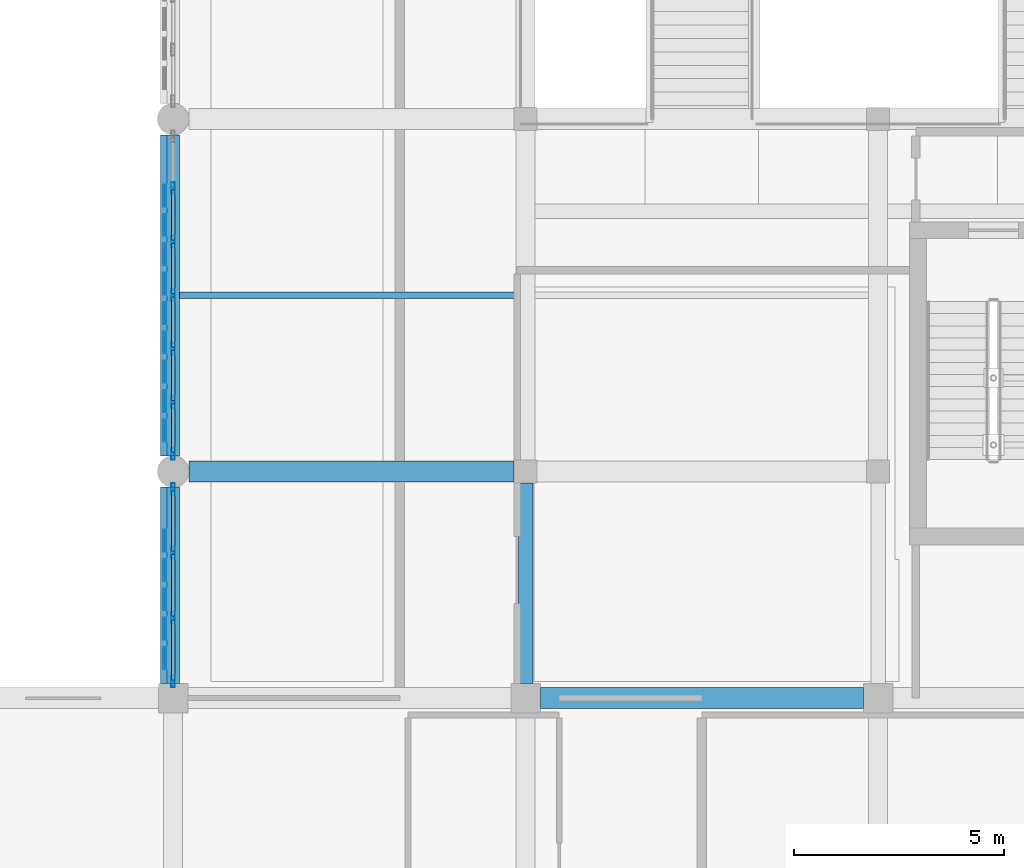
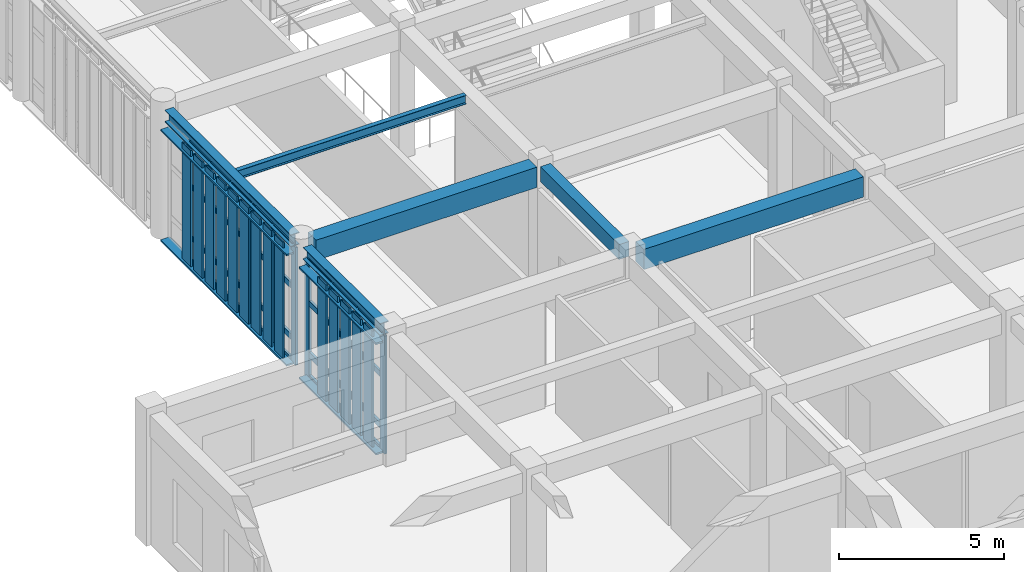
# One storey, part 15 of 106: 60 members, 6 beams, 2 elements without a shape of their own.
"""IFC4 building model written with IfcOpenShell, lengths in metres."""

from ifc_helpers import new_model, si_unit, direction, frame, origin, origin_2d, place, context, subcontext, project, spatial, rectangle, hollow_rectangle, i_section, extrude, material, layer, layer_set, material_profile, profile_set, type_object, element, aggregate, save


model = new_model("IFC4")

# Units and contexts
model_context = context("Model", 3, precision=1e-05, world=origin(), true_north=direction((0.0, 1.0)))
body_context = subcontext(model_context, "Body", "Model", "MODEL_VIEW")
ifc_project = project(units=[si_unit("LENGTHUNIT", "METRE"), si_unit("AREAUNIT", "SQUARE_METRE"), si_unit("VOLUMEUNIT", "CUBIC_METRE"), si_unit("PLANEANGLEUNIT", "RADIAN"), si_unit("MASSUNIT", "GRAM", prefix="KILO")], contexts=[model_context])

# Site, building, storey
site_placement = place(None, origin())
site = spatial("IfcSite", under=ifc_project, at=site_placement, CompositionType="ELEMENT")
building_placement = place(site_placement, origin())
building = spatial("IfcBuilding", under=site, at=building_placement, Name="Krzemoval Escarpment Law Courts", CompositionType="ELEMENT")
storey_placement = place(building_placement, frame((0.0, 0.0, 5.10009765625)))
storey = spatial("IfcBuildingStorey", under=building, at=storey_placement, Name="L01", CompositionType="ELEMENT", Elevation=5.10009765625)

# Beams
ifc_material_1 = material(Name="Concrete C40/50", Category="concrete")
ifc_material_profile_1 = material_profile(ifc_material_1, rectangle(XDim=0.35009765625, YDim=0.550048828125, at=origin_2d()), Name="RCB 350x550")
ifc_profile_set_1 = profile_set([ifc_material_profile_1], Name="Concrete C40/50")
beam_type_1 = type_object("IfcBeamType", Name="BM-RC-350x550", PredefinedType="BEAM", material=ifc_profile_set_1)
beam_1_placement = place(storey_placement, frame((16.800048828125, 35.75, 4.544921875), z_axis=(0.0, 1.0, 0.0), x_axis=(-1.0, 0.0, 0.0)))
element("IfcBeam", 1, at=beam_1_placement, inside=storey, type_object=beam_type_1, Name="Beam FG-L01-1398", PredefinedType="BEAM", context=body_context, shape_type="SweptSolid", body=[
    extrude(rectangle(XDim=0.35009765625, YDim=0.550048828125, at=origin_2d()), origin(), (0.0, 0.0, 1.0), 4.77490234375),
])
ifc_material_2 = material(Name="Concrete C40/50", Category="concrete")
ifc_material_profile_2 = material_profile(ifc_material_2, rectangle(XDim=0.5, YDim=0.75, at=origin_2d()), Name="RCB 500x750")
ifc_profile_set_2 = profile_set([ifc_material_profile_2], Name="Concrete C40/50")
beam_type_2 = type_object("IfcBeamType", Name="BM-RC-500x750", PredefinedType="BEAM", material=ifc_profile_set_2)
beam_2_placement = place(storey_placement, frame((17.14990234375, 35.39990234375, 4.44482421875), z_axis=(1.0, 0.0, 0.0), x_axis=(0.0, 1.0, 0.0)))
element("IfcBeam", 2, at=beam_2_placement, inside=storey, type_object=beam_type_2, Name="Beam FG-L01-1217", PredefinedType="BEAM", context=body_context, shape_type="SweptSolid", body=[
    extrude(rectangle(XDim=0.5, YDim=0.75, at=origin_2d()), origin(), (0.0, 0.0, 1.0), 7.7001953125),
])
beam_3_placement = place(storey_placement, frame((8.77490234375, 40.800048828125, 4.44482421875), z_axis=(1.0, 0.0, 0.0), x_axis=(0.0, 1.0, 0.0)))
element("IfcBeam", 3, at=beam_3_placement, inside=storey, type_object=beam_type_2, Name="Beam FG-L01-1233", PredefinedType="BEAM", context=body_context, shape_type="SweptSolid", body=[
    extrude(rectangle(XDim=0.5, YDim=0.75, at=origin_2d()), origin(), (0.0, 0.0, 1.0), 7.75),
])

# Curtain wall, members
ifc_material_3 = material(Name="Aluminium 6063-T6", Category="aluminium")
ifc_layer = layer(ifc_material_3, 0.280029296875)
ifc_layer_set = layer_set([ifc_layer], Name="Aluminium 6063-T6")
curtain_wall_type = type_object("IfcCurtainWallType", Name="CW-HALL-5100", PredefinedType="USERDEFINED", material=ifc_layer_set)
curtain_wall_1_placement = place(storey_placement, origin())
curtain_wall_1 = element("IfcCurtainWall", 4, at=curtain_wall_1_placement, inside=storey, type_object=curtain_wall_type, Name="Unitised Curtain Wall FCW-L01-022", ObjectType="UNITISED_CURTAIN_WALL", PredefinedType="USERDEFINED")
ifc_material_4 = material(Name="Aluminium 6063-T6", Category="aluminium")
ifc_material_profile_3 = material_profile(ifc_material_4, hollow_rectangle(XDim=0.0849609375, YDim=0.280029296875, WallThickness=0.005615234375, at=origin_2d()), Name="ALU M85x280")
ifc_profile_set_3 = profile_set([ifc_material_profile_3], Name="Aluminium 6063-T6")
member_type_1 = type_object("IfcMemberType", Name="CWM-85x280", PredefinedType="MULLION", material=ifc_profile_set_3)
member_1_placement = place(storey_placement, frame((8.39990234375, 35.79248046875, 0.0), z_axis=(0.0, 0.0, 1.0), x_axis=(-1.0, 0.0, 0.0)))
member_1 = element("IfcMember", 5, at=member_1_placement, type_object=member_type_1, Name="FCW-L01-022 mullion 1", PredefinedType="MULLION", context=body_context, shape_type="SweptSolid", body=[
    extrude(hollow_rectangle(XDim=0.0849609375, YDim=0.280029296875, WallThickness=0.005615234375, at=origin_2d()), origin(), (0.0, 0.0, 1.0), 4.369873046875),
])
member_2_placement = place(storey_placement, frame((8.39990234375, 37.308349609375, 0.0), z_axis=(0.0, 0.0, 1.0), x_axis=(-1.0, 0.0, 0.0)))
member_2 = element("IfcMember", 6, at=member_2_placement, type_object=member_type_1, Name="FCW-L01-022 mullion 2", PredefinedType="MULLION", context=body_context, shape_type="SweptSolid", body=[
    extrude(hollow_rectangle(XDim=0.0849609375, YDim=0.280029296875, WallThickness=0.005615234375, at=origin_2d()), origin(), (0.0, 0.0, 1.0), 4.369873046875),
])
member_3_placement = place(storey_placement, frame((8.39990234375, 38.86669921875, 0.0), z_axis=(0.0, 0.0, 1.0), x_axis=(-1.0, 0.0, 0.0)))
member_3 = element("IfcMember", 7, at=member_3_placement, type_object=member_type_1, Name="FCW-L01-022 mullion 3", PredefinedType="MULLION", context=body_context, shape_type="SweptSolid", body=[
    extrude(hollow_rectangle(XDim=0.0849609375, YDim=0.280029296875, WallThickness=0.005615234375, at=origin_2d()), origin(), (0.0, 0.0, 1.0), 4.369873046875),
])
member_4_placement = place(storey_placement, frame((8.39990234375, 40.382568359375, 0.0), z_axis=(0.0, 0.0, 1.0), x_axis=(-1.0, 0.0, 0.0)))
member_4 = element("IfcMember", 8, at=member_4_placement, type_object=member_type_1, Name="FCW-L01-022 mullion 4", PredefinedType="MULLION", context=body_context, shape_type="SweptSolid", body=[
    extrude(hollow_rectangle(XDim=0.0849609375, YDim=0.280029296875, WallThickness=0.005615234375, at=origin_2d()), origin(), (0.0, 0.0, 1.0), 4.369873046875),
])

curtain_wall_2_placement = place(storey_placement, origin())
curtain_wall_2 = element("IfcCurtainWall", 9, at=curtain_wall_2_placement, inside=storey, type_object=curtain_wall_type, Name="Unitised Curtain Wall FCW-L01-023", ObjectType="UNITISED_CURTAIN_WALL", PredefinedType="USERDEFINED")
member_5_placement = place(storey_placement, frame((8.39990234375, 41.217529296875, 0.0), z_axis=(0.0, 0.0, 1.0), x_axis=(-1.0, 0.0, 0.0)))
member_5 = element("IfcMember", 10, at=member_5_placement, type_object=member_type_1, Name="FCW-L01-023 mullion 1", PredefinedType="MULLION", context=body_context, shape_type="SweptSolid", body=[
    extrude(hollow_rectangle(XDim=0.0849609375, YDim=0.280029296875, WallThickness=0.005615234375, at=origin_2d()), origin(), (0.0, 0.0, 1.0), 4.369873046875),
])
member_6_placement = place(storey_placement, frame((8.39990234375, 42.449951171875, 0.0), z_axis=(0.0, 0.0, 1.0), x_axis=(-1.0, 0.0, 0.0)))
member_6 = element("IfcMember", 11, at=member_6_placement, type_object=member_type_1, Name="FCW-L01-023 mullion 2", PredefinedType="MULLION", context=body_context, shape_type="SweptSolid", body=[
    extrude(hollow_rectangle(XDim=0.0849609375, YDim=0.280029296875, WallThickness=0.005615234375, at=origin_2d()), origin(), (0.0, 0.0, 1.0), 4.369873046875),
])
member_7_placement = place(storey_placement, frame((8.39990234375, 43.72509765625, 0.0), z_axis=(0.0, 0.0, 1.0), x_axis=(-1.0, 0.0, 0.0)))
member_7 = element("IfcMember", 12, at=member_7_placement, type_object=member_type_1, Name="FCW-L01-023 mullion 3", PredefinedType="MULLION", context=body_context, shape_type="SweptSolid", body=[
    extrude(hollow_rectangle(XDim=0.0849609375, YDim=0.280029296875, WallThickness=0.005615234375, at=origin_2d()), origin(), (0.0, 0.0, 1.0), 4.369873046875),
])
member_8_placement = place(storey_placement, frame((8.39990234375, 45.0, 0.0), z_axis=(0.0, 0.0, 1.0), x_axis=(-1.0, 0.0, 0.0)))
member_8 = element("IfcMember", 13, at=member_8_placement, type_object=member_type_1, Name="FCW-L01-023 mullion 4", PredefinedType="MULLION", context=body_context, shape_type="SweptSolid", body=[
    extrude(hollow_rectangle(XDim=0.0849609375, YDim=0.280029296875, WallThickness=0.005615234375, at=origin_2d()), origin(), (0.0, 0.0, 1.0), 4.369873046875),
])
member_9_placement = place(storey_placement, frame((8.39990234375, 46.27490234375, 0.0), z_axis=(0.0, 0.0, 1.0), x_axis=(-1.0, 0.0, 0.0)))
member_9 = element("IfcMember", 14, at=member_9_placement, type_object=member_type_1, Name="FCW-L01-023 mullion 5", PredefinedType="MULLION", context=body_context, shape_type="SweptSolid", body=[
    extrude(hollow_rectangle(XDim=0.0849609375, YDim=0.280029296875, WallThickness=0.005615234375, at=origin_2d()), origin(), (0.0, 0.0, 1.0), 4.369873046875),
])
member_10_placement = place(storey_placement, frame((8.39990234375, 47.550048828125, 0.0), z_axis=(0.0, 0.0, 1.0), x_axis=(-1.0, 0.0, 0.0)))
member_10 = element("IfcMember", 15, at=member_10_placement, type_object=member_type_1, Name="FCW-L01-023 mullion 6", PredefinedType="MULLION", context=body_context, shape_type="SweptSolid", body=[
    extrude(hollow_rectangle(XDim=0.0849609375, YDim=0.280029296875, WallThickness=0.005615234375, at=origin_2d()), origin(), (0.0, 0.0, 1.0), 4.369873046875),
])

# Member
ifc_material_5 = material(Name="Aluminium 6063-T6", Category="aluminium")
ifc_material_profile_4 = material_profile(ifc_material_5, hollow_rectangle(XDim=0.0849609375, YDim=0.2099609375, WallThickness=0.005615234375, at=origin_2d()), Name="ALU T85x210")
ifc_profile_set_4 = profile_set([ifc_material_profile_4], Name="Aluminium 6063-T6")
member_type_2 = type_object("IfcMemberType", Name="CWT-85x210", PredefinedType="USERDEFINED", material=ifc_profile_set_4)
member_11_placement = place(storey_placement, frame((8.39990234375, 35.8349609375, 0.04248046875), z_axis=(0.0, 1.0, 0.0), x_axis=(-1.0, 0.0, 0.0)))
member_11 = element("IfcMember", 16, at=member_11_placement, type_object=member_type_2, Name="FCW-L01-022 transom 1.1", ObjectType="TRANSOM", PredefinedType="USERDEFINED", context=body_context, shape_type="SweptSolid", body=[
    extrude(hollow_rectangle(XDim=0.0849609375, YDim=0.2099609375, WallThickness=0.005615234375, at=origin_2d()), origin(), (0.0, 0.0, 1.0), 1.430908203125),
])

member_12_placement = place(storey_placement, frame((8.39990234375, 35.8349609375, 0.89990234375), z_axis=(0.0, 1.0, 0.0), x_axis=(-1.0, 0.0, 0.0)))
member_12 = element("IfcMember", 17, at=member_12_placement, type_object=member_type_2, Name="FCW-L01-022 transom 1.2", ObjectType="TRANSOM", PredefinedType="USERDEFINED", context=body_context, shape_type="SweptSolid", body=[
    extrude(hollow_rectangle(XDim=0.0849609375, YDim=0.2099609375, WallThickness=0.005615234375, at=origin_2d()), origin(), (0.0, 0.0, 1.0), 1.430908203125),
])

member_13_placement = place(storey_placement, frame((8.39990234375, 35.8349609375, 2.7998046875), z_axis=(0.0, 1.0, 0.0), x_axis=(-1.0, 0.0, 0.0)))
member_13 = element("IfcMember", 18, at=member_13_placement, type_object=member_type_2, Name="FCW-L01-022 transom 1.3", ObjectType="TRANSOM", PredefinedType="USERDEFINED", context=body_context, shape_type="SweptSolid", body=[
    extrude(hollow_rectangle(XDim=0.0849609375, YDim=0.2099609375, WallThickness=0.005615234375, at=origin_2d()), origin(), (0.0, 0.0, 1.0), 1.430908203125),
])

member_14_placement = place(storey_placement, frame((8.39990234375, 35.8349609375, 4.327392578125), z_axis=(0.0, 1.0, 0.0), x_axis=(-1.0, 0.0, 0.0)))
member_14 = element("IfcMember", 19, at=member_14_placement, type_object=member_type_2, Name="FCW-L01-022 transom 1.4", ObjectType="TRANSOM", PredefinedType="USERDEFINED", context=body_context, shape_type="SweptSolid", body=[
    extrude(hollow_rectangle(XDim=0.0849609375, YDim=0.2099609375, WallThickness=0.005615234375, at=origin_2d()), origin(), (0.0, 0.0, 1.0), 1.430908203125),
])

member_15_placement = place(storey_placement, frame((8.39990234375, 37.350830078125, 0.04248046875), z_axis=(0.0, 1.0, 0.0), x_axis=(-1.0, 0.0, 0.0)))
member_15 = element("IfcMember", 20, at=member_15_placement, type_object=member_type_2, Name="FCW-L01-022 transom 2.1", ObjectType="TRANSOM", PredefinedType="USERDEFINED", context=body_context, shape_type="SweptSolid", body=[
    extrude(hollow_rectangle(XDim=0.0849609375, YDim=0.2099609375, WallThickness=0.005615234375, at=origin_2d()), origin(), (0.0, 0.0, 1.0), 1.473388671875),
])

member_16_placement = place(storey_placement, frame((8.39990234375, 37.350830078125, 0.89990234375), z_axis=(0.0, 1.0, 0.0), x_axis=(-1.0, 0.0, 0.0)))
member_16 = element("IfcMember", 21, at=member_16_placement, type_object=member_type_2, Name="FCW-L01-022 transom 2.2", ObjectType="TRANSOM", PredefinedType="USERDEFINED", context=body_context, shape_type="SweptSolid", body=[
    extrude(hollow_rectangle(XDim=0.0849609375, YDim=0.2099609375, WallThickness=0.005615234375, at=origin_2d()), origin(), (0.0, 0.0, 1.0), 1.473388671875),
])

member_17_placement = place(storey_placement, frame((8.39990234375, 37.350830078125, 2.7998046875), z_axis=(0.0, 1.0, 0.0), x_axis=(-1.0, 0.0, 0.0)))
member_17 = element("IfcMember", 22, at=member_17_placement, type_object=member_type_2, Name="FCW-L01-022 transom 2.3", ObjectType="TRANSOM", PredefinedType="USERDEFINED", context=body_context, shape_type="SweptSolid", body=[
    extrude(hollow_rectangle(XDim=0.0849609375, YDim=0.2099609375, WallThickness=0.005615234375, at=origin_2d()), origin(), (0.0, 0.0, 1.0), 1.473388671875),
])

member_18_placement = place(storey_placement, frame((8.39990234375, 37.350830078125, 4.327392578125), z_axis=(0.0, 1.0, 0.0), x_axis=(-1.0, 0.0, 0.0)))
member_18 = element("IfcMember", 23, at=member_18_placement, type_object=member_type_2, Name="FCW-L01-022 transom 2.4", ObjectType="TRANSOM", PredefinedType="USERDEFINED", context=body_context, shape_type="SweptSolid", body=[
    extrude(hollow_rectangle(XDim=0.0849609375, YDim=0.2099609375, WallThickness=0.005615234375, at=origin_2d()), origin(), (0.0, 0.0, 1.0), 1.473388671875),
])

member_19_placement = place(storey_placement, frame((8.39990234375, 38.9091796875, 0.04248046875), z_axis=(0.0, 1.0, 0.0), x_axis=(-1.0, 0.0, 0.0)))
member_19 = element("IfcMember", 24, at=member_19_placement, type_object=member_type_2, Name="FCW-L01-022 transom 3.1", ObjectType="TRANSOM", PredefinedType="USERDEFINED", context=body_context, shape_type="SweptSolid", body=[
    extrude(hollow_rectangle(XDim=0.0849609375, YDim=0.2099609375, WallThickness=0.005615234375, at=origin_2d()), origin(), (0.0, 0.0, 1.0), 1.430908203125),
])

member_20_placement = place(storey_placement, frame((8.39990234375, 38.9091796875, 0.89990234375), z_axis=(0.0, 1.0, 0.0), x_axis=(-1.0, 0.0, 0.0)))
member_20 = element("IfcMember", 25, at=member_20_placement, type_object=member_type_2, Name="FCW-L01-022 transom 3.2", ObjectType="TRANSOM", PredefinedType="USERDEFINED", context=body_context, shape_type="SweptSolid", body=[
    extrude(hollow_rectangle(XDim=0.0849609375, YDim=0.2099609375, WallThickness=0.005615234375, at=origin_2d()), origin(), (0.0, 0.0, 1.0), 1.430908203125),
])

member_21_placement = place(storey_placement, frame((8.39990234375, 38.9091796875, 2.7998046875), z_axis=(0.0, 1.0, 0.0), x_axis=(-1.0, 0.0, 0.0)))
member_21 = element("IfcMember", 26, at=member_21_placement, type_object=member_type_2, Name="FCW-L01-022 transom 3.3", ObjectType="TRANSOM", PredefinedType="USERDEFINED", context=body_context, shape_type="SweptSolid", body=[
    extrude(hollow_rectangle(XDim=0.0849609375, YDim=0.2099609375, WallThickness=0.005615234375, at=origin_2d()), origin(), (0.0, 0.0, 1.0), 1.430908203125),
])

member_22_placement = place(storey_placement, frame((8.39990234375, 38.9091796875, 4.327392578125), z_axis=(0.0, 1.0, 0.0), x_axis=(-1.0, 0.0, 0.0)))
member_22 = element("IfcMember", 27, at=member_22_placement, type_object=member_type_2, Name="FCW-L01-022 transom 3.4", ObjectType="TRANSOM", PredefinedType="USERDEFINED", context=body_context, shape_type="SweptSolid", body=[
    extrude(hollow_rectangle(XDim=0.0849609375, YDim=0.2099609375, WallThickness=0.005615234375, at=origin_2d()), origin(), (0.0, 0.0, 1.0), 1.430908203125),
])

aggregate(curtain_wall_1, [member_1, member_2, member_3, member_4, member_11, member_12, member_13, member_14, member_15, member_16, member_17, member_18, member_19, member_20, member_21, member_22])

member_23_placement = place(storey_placement, frame((8.39990234375, 41.260009765625, 0.04248046875), z_axis=(0.0, 1.0, 0.0), x_axis=(-1.0, 0.0, 0.0)))
member_23 = element("IfcMember", 28, at=member_23_placement, type_object=member_type_2, Name="FCW-L01-023 transom 1.1", ObjectType="TRANSOM", PredefinedType="USERDEFINED", context=body_context, shape_type="SweptSolid", body=[
    extrude(hollow_rectangle(XDim=0.0849609375, YDim=0.2099609375, WallThickness=0.005615234375, at=origin_2d()), origin(), (0.0, 0.0, 1.0), 1.1474609375),
])

member_24_placement = place(storey_placement, frame((8.39990234375, 41.260009765625, 0.89990234375), z_axis=(0.0, 1.0, 0.0), x_axis=(-1.0, 0.0, 0.0)))
member_24 = element("IfcMember", 29, at=member_24_placement, type_object=member_type_2, Name="FCW-L01-023 transom 1.2", ObjectType="TRANSOM", PredefinedType="USERDEFINED", context=body_context, shape_type="SweptSolid", body=[
    extrude(hollow_rectangle(XDim=0.0849609375, YDim=0.2099609375, WallThickness=0.005615234375, at=origin_2d()), origin(), (0.0, 0.0, 1.0), 1.1474609375),
])

member_25_placement = place(storey_placement, frame((8.39990234375, 41.260009765625, 2.7998046875), z_axis=(0.0, 1.0, 0.0), x_axis=(-1.0, 0.0, 0.0)))
member_25 = element("IfcMember", 30, at=member_25_placement, type_object=member_type_2, Name="FCW-L01-023 transom 1.3", ObjectType="TRANSOM", PredefinedType="USERDEFINED", context=body_context, shape_type="SweptSolid", body=[
    extrude(hollow_rectangle(XDim=0.0849609375, YDim=0.2099609375, WallThickness=0.005615234375, at=origin_2d()), origin(), (0.0, 0.0, 1.0), 1.1474609375),
])

member_26_placement = place(storey_placement, frame((8.39990234375, 41.260009765625, 4.327392578125), z_axis=(0.0, 1.0, 0.0), x_axis=(-1.0, 0.0, 0.0)))
member_26 = element("IfcMember", 31, at=member_26_placement, type_object=member_type_2, Name="FCW-L01-023 transom 1.4", ObjectType="TRANSOM", PredefinedType="USERDEFINED", context=body_context, shape_type="SweptSolid", body=[
    extrude(hollow_rectangle(XDim=0.0849609375, YDim=0.2099609375, WallThickness=0.005615234375, at=origin_2d()), origin(), (0.0, 0.0, 1.0), 1.1474609375),
])

member_27_placement = place(storey_placement, frame((8.39990234375, 42.492431640625, 0.04248046875), z_axis=(0.0, 1.0, 0.0), x_axis=(-1.0, 0.0, 0.0)))
member_27 = element("IfcMember", 32, at=member_27_placement, type_object=member_type_2, Name="FCW-L01-023 transom 2.1", ObjectType="TRANSOM", PredefinedType="USERDEFINED", context=body_context, shape_type="SweptSolid", body=[
    extrude(hollow_rectangle(XDim=0.0849609375, YDim=0.2099609375, WallThickness=0.005615234375, at=origin_2d()), origin(), (0.0, 0.0, 1.0), 1.190185546875),
])

member_28_placement = place(storey_placement, frame((8.39990234375, 42.492431640625, 0.89990234375), z_axis=(0.0, 1.0, 0.0), x_axis=(-1.0, 0.0, 0.0)))
member_28 = element("IfcMember", 33, at=member_28_placement, type_object=member_type_2, Name="FCW-L01-023 transom 2.2", ObjectType="TRANSOM", PredefinedType="USERDEFINED", context=body_context, shape_type="SweptSolid", body=[
    extrude(hollow_rectangle(XDim=0.0849609375, YDim=0.2099609375, WallThickness=0.005615234375, at=origin_2d()), origin(), (0.0, 0.0, 1.0), 1.190185546875),
])

member_29_placement = place(storey_placement, frame((8.39990234375, 42.492431640625, 2.7998046875), z_axis=(0.0, 1.0, 0.0), x_axis=(-1.0, 0.0, 0.0)))
member_29 = element("IfcMember", 34, at=member_29_placement, type_object=member_type_2, Name="FCW-L01-023 transom 2.3", ObjectType="TRANSOM", PredefinedType="USERDEFINED", context=body_context, shape_type="SweptSolid", body=[
    extrude(hollow_rectangle(XDim=0.0849609375, YDim=0.2099609375, WallThickness=0.005615234375, at=origin_2d()), origin(), (0.0, 0.0, 1.0), 1.190185546875),
])

member_30_placement = place(storey_placement, frame((8.39990234375, 42.492431640625, 4.327392578125), z_axis=(0.0, 1.0, 0.0), x_axis=(-1.0, 0.0, 0.0)))
member_30 = element("IfcMember", 35, at=member_30_placement, type_object=member_type_2, Name="FCW-L01-023 transom 2.4", ObjectType="TRANSOM", PredefinedType="USERDEFINED", context=body_context, shape_type="SweptSolid", body=[
    extrude(hollow_rectangle(XDim=0.0849609375, YDim=0.2099609375, WallThickness=0.005615234375, at=origin_2d()), origin(), (0.0, 0.0, 1.0), 1.190185546875),
])

member_31_placement = place(storey_placement, frame((8.39990234375, 43.767578125, 0.04248046875), z_axis=(0.0, 1.0, 0.0), x_axis=(-1.0, 0.0, 0.0)))
member_31 = element("IfcMember", 36, at=member_31_placement, type_object=member_type_2, Name="FCW-L01-023 transom 3.1", ObjectType="TRANSOM", PredefinedType="USERDEFINED", context=body_context, shape_type="SweptSolid", body=[
    extrude(hollow_rectangle(XDim=0.0849609375, YDim=0.2099609375, WallThickness=0.005615234375, at=origin_2d()), origin(), (0.0, 0.0, 1.0), 1.18994140625),
])

member_32_placement = place(storey_placement, frame((8.39990234375, 43.767578125, 0.89990234375), z_axis=(0.0, 1.0, 0.0), x_axis=(-1.0, 0.0, 0.0)))
member_32 = element("IfcMember", 37, at=member_32_placement, type_object=member_type_2, Name="FCW-L01-023 transom 3.2", ObjectType="TRANSOM", PredefinedType="USERDEFINED", context=body_context, shape_type="SweptSolid", body=[
    extrude(hollow_rectangle(XDim=0.0849609375, YDim=0.2099609375, WallThickness=0.005615234375, at=origin_2d()), origin(), (0.0, 0.0, 1.0), 1.18994140625),
])

member_33_placement = place(storey_placement, frame((8.39990234375, 43.767578125, 2.7998046875), z_axis=(0.0, 1.0, 0.0), x_axis=(-1.0, 0.0, 0.0)))
member_33 = element("IfcMember", 38, at=member_33_placement, type_object=member_type_2, Name="FCW-L01-023 transom 3.3", ObjectType="TRANSOM", PredefinedType="USERDEFINED", context=body_context, shape_type="SweptSolid", body=[
    extrude(hollow_rectangle(XDim=0.0849609375, YDim=0.2099609375, WallThickness=0.005615234375, at=origin_2d()), origin(), (0.0, 0.0, 1.0), 1.18994140625),
])

member_34_placement = place(storey_placement, frame((8.39990234375, 43.767578125, 4.327392578125), z_axis=(0.0, 1.0, 0.0), x_axis=(-1.0, 0.0, 0.0)))
member_34 = element("IfcMember", 39, at=member_34_placement, type_object=member_type_2, Name="FCW-L01-023 transom 3.4", ObjectType="TRANSOM", PredefinedType="USERDEFINED", context=body_context, shape_type="SweptSolid", body=[
    extrude(hollow_rectangle(XDim=0.0849609375, YDim=0.2099609375, WallThickness=0.005615234375, at=origin_2d()), origin(), (0.0, 0.0, 1.0), 1.18994140625),
])

member_35_placement = place(storey_placement, frame((8.39990234375, 45.04248046875, 0.04248046875), z_axis=(0.0, 1.0, 0.0), x_axis=(-1.0, 0.0, 0.0)))
member_35 = element("IfcMember", 40, at=member_35_placement, type_object=member_type_2, Name="FCW-L01-023 transom 4.1", ObjectType="TRANSOM", PredefinedType="USERDEFINED", context=body_context, shape_type="SweptSolid", body=[
    extrude(hollow_rectangle(XDim=0.0849609375, YDim=0.2099609375, WallThickness=0.005615234375, at=origin_2d()), origin(), (0.0, 0.0, 1.0), 1.18994140625),
])

member_36_placement = place(storey_placement, frame((8.39990234375, 45.04248046875, 0.89990234375), z_axis=(0.0, 1.0, 0.0), x_axis=(-1.0, 0.0, 0.0)))
member_36 = element("IfcMember", 41, at=member_36_placement, type_object=member_type_2, Name="FCW-L01-023 transom 4.2", ObjectType="TRANSOM", PredefinedType="USERDEFINED", context=body_context, shape_type="SweptSolid", body=[
    extrude(hollow_rectangle(XDim=0.0849609375, YDim=0.2099609375, WallThickness=0.005615234375, at=origin_2d()), origin(), (0.0, 0.0, 1.0), 1.18994140625),
])

member_37_placement = place(storey_placement, frame((8.39990234375, 45.04248046875, 2.7998046875), z_axis=(0.0, 1.0, 0.0), x_axis=(-1.0, 0.0, 0.0)))
member_37 = element("IfcMember", 42, at=member_37_placement, type_object=member_type_2, Name="FCW-L01-023 transom 4.3", ObjectType="TRANSOM", PredefinedType="USERDEFINED", context=body_context, shape_type="SweptSolid", body=[
    extrude(hollow_rectangle(XDim=0.0849609375, YDim=0.2099609375, WallThickness=0.005615234375, at=origin_2d()), origin(), (0.0, 0.0, 1.0), 1.18994140625),
])

member_38_placement = place(storey_placement, frame((8.39990234375, 45.04248046875, 4.327392578125), z_axis=(0.0, 1.0, 0.0), x_axis=(-1.0, 0.0, 0.0)))
member_38 = element("IfcMember", 43, at=member_38_placement, type_object=member_type_2, Name="FCW-L01-023 transom 4.4", ObjectType="TRANSOM", PredefinedType="USERDEFINED", context=body_context, shape_type="SweptSolid", body=[
    extrude(hollow_rectangle(XDim=0.0849609375, YDim=0.2099609375, WallThickness=0.005615234375, at=origin_2d()), origin(), (0.0, 0.0, 1.0), 1.18994140625),
])

member_39_placement = place(storey_placement, frame((8.39990234375, 46.3173828125, 0.04248046875), z_axis=(0.0, 1.0, 0.0), x_axis=(-1.0, 0.0, 0.0)))
member_39 = element("IfcMember", 44, at=member_39_placement, type_object=member_type_2, Name="FCW-L01-023 transom 5.1", ObjectType="TRANSOM", PredefinedType="USERDEFINED", context=body_context, shape_type="SweptSolid", body=[
    extrude(hollow_rectangle(XDim=0.0849609375, YDim=0.2099609375, WallThickness=0.005615234375, at=origin_2d()), origin(), (0.0, 0.0, 1.0), 1.190185546875),
])

member_40_placement = place(storey_placement, frame((8.39990234375, 46.3173828125, 0.89990234375), z_axis=(0.0, 1.0, 0.0), x_axis=(-1.0, 0.0, 0.0)))
member_40 = element("IfcMember", 45, at=member_40_placement, type_object=member_type_2, Name="FCW-L01-023 transom 5.2", ObjectType="TRANSOM", PredefinedType="USERDEFINED", context=body_context, shape_type="SweptSolid", body=[
    extrude(hollow_rectangle(XDim=0.0849609375, YDim=0.2099609375, WallThickness=0.005615234375, at=origin_2d()), origin(), (0.0, 0.0, 1.0), 1.190185546875),
])

member_41_placement = place(storey_placement, frame((8.39990234375, 46.3173828125, 2.7998046875), z_axis=(0.0, 1.0, 0.0), x_axis=(-1.0, 0.0, 0.0)))
member_41 = element("IfcMember", 46, at=member_41_placement, type_object=member_type_2, Name="FCW-L01-023 transom 5.3", ObjectType="TRANSOM", PredefinedType="USERDEFINED", context=body_context, shape_type="SweptSolid", body=[
    extrude(hollow_rectangle(XDim=0.0849609375, YDim=0.2099609375, WallThickness=0.005615234375, at=origin_2d()), origin(), (0.0, 0.0, 1.0), 1.190185546875),
])

member_42_placement = place(storey_placement, frame((8.39990234375, 46.3173828125, 4.327392578125), z_axis=(0.0, 1.0, 0.0), x_axis=(-1.0, 0.0, 0.0)))
member_42 = element("IfcMember", 47, at=member_42_placement, type_object=member_type_2, Name="FCW-L01-023 transom 5.4", ObjectType="TRANSOM", PredefinedType="USERDEFINED", context=body_context, shape_type="SweptSolid", body=[
    extrude(hollow_rectangle(XDim=0.0849609375, YDim=0.2099609375, WallThickness=0.005615234375, at=origin_2d()), origin(), (0.0, 0.0, 1.0), 1.190185546875),
])

aggregate(curtain_wall_2, [member_5, member_6, member_7, member_8, member_9, member_10, member_23, member_24, member_25, member_26, member_27, member_28, member_29, member_30, member_31, member_32, member_33, member_34, member_35, member_36, member_37, member_38, member_39, member_40, member_41, member_42])

# Beam
ifc_material_6 = material(Name="Steel S355", Category="steel")
ifc_material_profile_5 = material_profile(ifc_material_6, i_section(OverallWidth=0.159912109375, OverallDepth=0.330078125, WebThickness=0.007568359375, FlangeThickness=0.011474609375, at=origin_2d()), Name="IPE 330")
ifc_profile_set_5 = profile_set([ifc_material_profile_5], Name="Steel S355")
beam_type_3 = type_object("IfcBeamType", Name="JST-S355-IPE330", PredefinedType="JOIST", material=ifc_profile_set_5)
beam_4_placement = place(storey_placement, frame((8.550048828125, 45.0, 4.65478515625), z_axis=(1.0, 0.0, 0.0), x_axis=(0.0, 1.0, 0.0)))
element("IfcBeam", 48, at=beam_4_placement, inside=storey, type_object=beam_type_3, Name="Secondary Joist FJ-L01-1605", PredefinedType="JOIST", context=body_context, shape_type="SweptSolid", body=[
    extrude(i_section(OverallWidth=0.159912109375, OverallDepth=0.330078125, WebThickness=0.007568359375, FlangeThickness=0.011474609375, at=origin_2d()), origin(), (0.0, 0.0, 1.0), 8.02490234375),
])

# Members
ifc_material_7 = material(Name="Anodised Aluminium Alloy 6063-T6", Category="aluminium")
ifc_material_profile_6 = material_profile(ifc_material_7, hollow_rectangle(XDim=0.06005859375, YDim=0.320068359375, WallThickness=0.00390625, at=origin_2d()), Name="ALU LVR 60x320")
ifc_profile_set_6 = profile_set([ifc_material_profile_6], Name="Anodised Aluminium Alloy 6063-T6")
member_type_3 = type_object("IfcMemberType", Name="LVR-ALU-320", PredefinedType="USERDEFINED", material=ifc_profile_set_6)
for number, where, z_axis, x_axis, name in (
    (49, (8.260009765625, 35.75, 0.02978515625), (0.0, 1.0, 0.0), (0.0, 0.0, 1.0), "Sunshade Support Rail FSR-L01-0001"),
    (50, (8.260009765625, 35.75, 4.119873046875), (0.0, 1.0, 0.0), (0.0, 0.0, 1.0), "Sunshade Support Rail FSR-L01-0002"),
):
    element("IfcMember", number, at=place(storey_placement, frame(where, z_axis=z_axis, x_axis=x_axis)), inside=storey, type_object=member_type_3, Name=name, ObjectType="SUNSHADE_LOUVRE", PredefinedType="USERDEFINED", context=body_context, shape_type="SweptSolid", body=[
        extrude(hollow_rectangle(XDim=0.06005859375, YDim=0.320068359375, WallThickness=0.00390625, at=origin_2d()), origin(), (0.0, 0.0, 1.0), 4.675048828125),
    ])
for number, where, z_axis, x_axis, name in (
    (51, (8.260009765625, 41.175048828125, 0.02978515625), (0.0, 1.0, 0.0), (0.0, 0.0, 1.0), "Sunshade Support Rail FSR-L01-0008"),
    (52, (8.260009765625, 41.175048828125, 4.119873046875), (0.0, 1.0, 0.0), (0.0, 0.0, 1.0), "Sunshade Support Rail FSR-L01-0009"),
):
    element("IfcMember", number, at=place(storey_placement, frame(where, z_axis=z_axis, x_axis=x_axis)), inside=storey, type_object=member_type_3, Name=name, ObjectType="SUNSHADE_LOUVRE", PredefinedType="USERDEFINED", context=body_context, shape_type="SweptSolid", body=[
        extrude(hollow_rectangle(XDim=0.06005859375, YDim=0.320068359375, WallThickness=0.00390625, at=origin_2d()), origin(), (0.0, 0.0, 1.0), 7.64990234375),
    ])
ifc_material_8 = material(Name="Anodised Aluminium Alloy 6063-T6", Category="aluminium")
ifc_material_profile_7 = material_profile(ifc_material_8, hollow_rectangle(XDim=0.06494140625, YDim=0.52001953125, WallThickness=0.00439453125, at=origin_2d()), Name="ALU LVR 65x520")
ifc_profile_set_7 = profile_set([ifc_material_profile_7], Name="Anodised Aluminium Alloy 6063-T6")
member_type_4 = type_object("IfcMemberType", Name="LVR-ALU-520", PredefinedType="USERDEFINED", material=ifc_profile_set_7)
for number, where, z_axis, x_axis, name in (
    (53, (8.199951171875, 36.35009765625, 0.059814453125), (0.0, 0.0, 1.0), (1.0, 0.0, 0.0), "Sunshade Louvre Fin FLV-L01-0003"),
    (54, (8.199951171875, 37.050048828125, 0.059814453125), (0.0, 0.0, 1.0), (1.0, 0.0, 0.0), "Sunshade Louvre Fin FLV-L01-0004"),
    (55, (8.199951171875, 37.75, 0.059814453125), (0.0, 0.0, 1.0), (1.0, 0.0, 0.0), "Sunshade Louvre Fin FLV-L01-0005"),
    (56, (8.199951171875, 38.449951171875, 0.059814453125), (0.0, 0.0, 1.0), (1.0, 0.0, 0.0), "Sunshade Louvre Fin FLV-L01-0006"),
    (57, (8.199951171875, 39.14990234375, 0.059814453125), (0.0, 0.0, 1.0), (1.0, 0.0, 0.0), "Sunshade Louvre Fin FLV-L01-0007"),
    (58, (8.199951171875, 41.77490234375, 0.059814453125), (0.0, 0.0, 1.0), (1.0, 0.0, 0.0), "Sunshade Louvre Fin FLV-L01-0010"),
    (59, (8.199951171875, 42.47509765625, 0.059814453125), (0.0, 0.0, 1.0), (1.0, 0.0, 0.0), "Sunshade Louvre Fin FLV-L01-0011"),
    (60, (8.199951171875, 43.175048828125, 0.059814453125), (0.0, 0.0, 1.0), (1.0, 0.0, 0.0), "Sunshade Louvre Fin FLV-L01-0012"),
    (61, (8.199951171875, 43.875, 0.059814453125), (0.0, 0.0, 1.0), (1.0, 0.0, 0.0), "Sunshade Louvre Fin FLV-L01-0013"),
    (62, (8.199951171875, 44.574951171875, 0.059814453125), (0.0, 0.0, 1.0), (1.0, 0.0, 0.0), "Sunshade Louvre Fin FLV-L01-0014"),
    (63, (8.199951171875, 45.27490234375, 0.059814453125), (0.0, 0.0, 1.0), (1.0, 0.0, 0.0), "Sunshade Louvre Fin FLV-L01-0015"),
    (64, (8.199951171875, 45.97509765625, 0.059814453125), (0.0, 0.0, 1.0), (1.0, 0.0, 0.0), "Sunshade Louvre Fin FLV-L01-0016"),
    (65, (8.199951171875, 46.675048828125, 0.059814453125), (0.0, 0.0, 1.0), (1.0, 0.0, 0.0), "Sunshade Louvre Fin FLV-L01-0017"),
    (66, (8.199951171875, 47.375, 0.059814453125), (0.0, 0.0, 1.0), (1.0, 0.0, 0.0), "Sunshade Louvre Fin FLV-L01-0018"),
):
    element("IfcMember", number, at=place(storey_placement, frame(where, z_axis=z_axis, x_axis=x_axis)), inside=storey, type_object=member_type_4, Name=name, ObjectType="SUNSHADE_LOUVRE", PredefinedType="USERDEFINED", context=body_context, shape_type="SweptSolid", body=[
        extrude(hollow_rectangle(XDim=0.06494140625, YDim=0.52001953125, WallThickness=0.00439453125, at=origin_2d()), origin(), (0.0, 0.0, 1.0), 4.31005859375),
    ])

# Beams
ifc_material_9 = material(Name="Steel S355", Category="steel")
ifc_material_profile_8 = material_profile(ifc_material_9, i_section(OverallWidth=0.300048828125, OverallDepth=0.449951171875, WebThickness=0.013916015625, FlangeThickness=0.02587890625, at=origin_2d()), Name="HEB 450")
ifc_profile_set_8 = profile_set([ifc_material_profile_8], Name="Steel S355")
beam_type_4 = type_object("IfcBeamType", Name="SPN-S355-HEB450", PredefinedType="SPANDREL", material=ifc_profile_set_8)
beam_5_placement = place(storey_placement, frame((8.39990234375, 35.75, 4.594970703125), z_axis=(0.0, 1.0, 0.0), x_axis=(-1.0, 0.0, 0.0)))
element("IfcBeam", 67, at=beam_5_placement, inside=storey, type_object=beam_type_4, Name="Beam FG-L01-1382", PredefinedType="SPANDREL", context=body_context, shape_type="SweptSolid", body=[
    extrude(i_section(OverallWidth=0.300048828125, OverallDepth=0.449951171875, WebThickness=0.013916015625, FlangeThickness=0.02587890625, at=origin_2d()), origin(), (0.0, 0.0, 1.0), 4.675048828125),
])
beam_6_placement = place(storey_placement, frame((8.39990234375, 41.175048828125, 4.594970703125), z_axis=(0.0, 1.0, 0.0), x_axis=(-1.0, 0.0, 0.0)))
element("IfcBeam", 68, at=beam_6_placement, inside=storey, type_object=beam_type_4, Name="Beam FG-L01-1383", PredefinedType="SPANDREL", context=body_context, shape_type="SweptSolid", body=[
    extrude(i_section(OverallWidth=0.300048828125, OverallDepth=0.449951171875, WebThickness=0.013916015625, FlangeThickness=0.02587890625, at=origin_2d()), origin(), (0.0, 0.0, 1.0), 7.64990234375),
])

save(model, "model.ifc")
